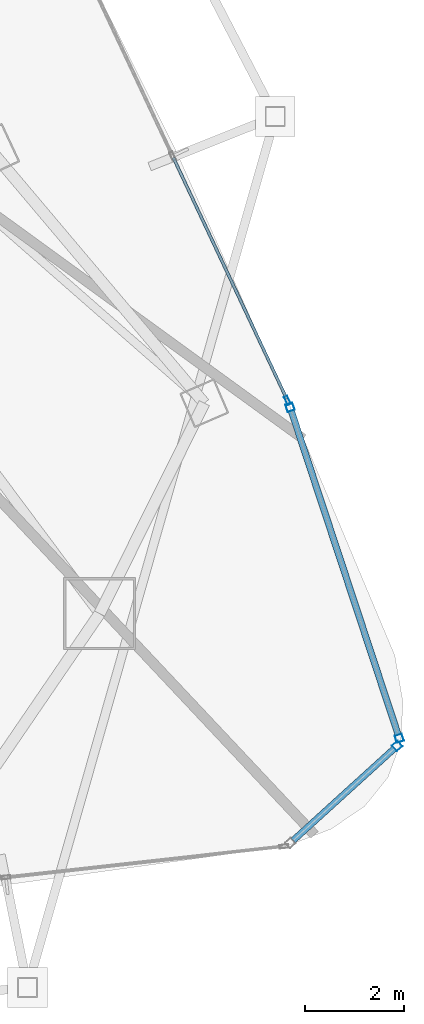
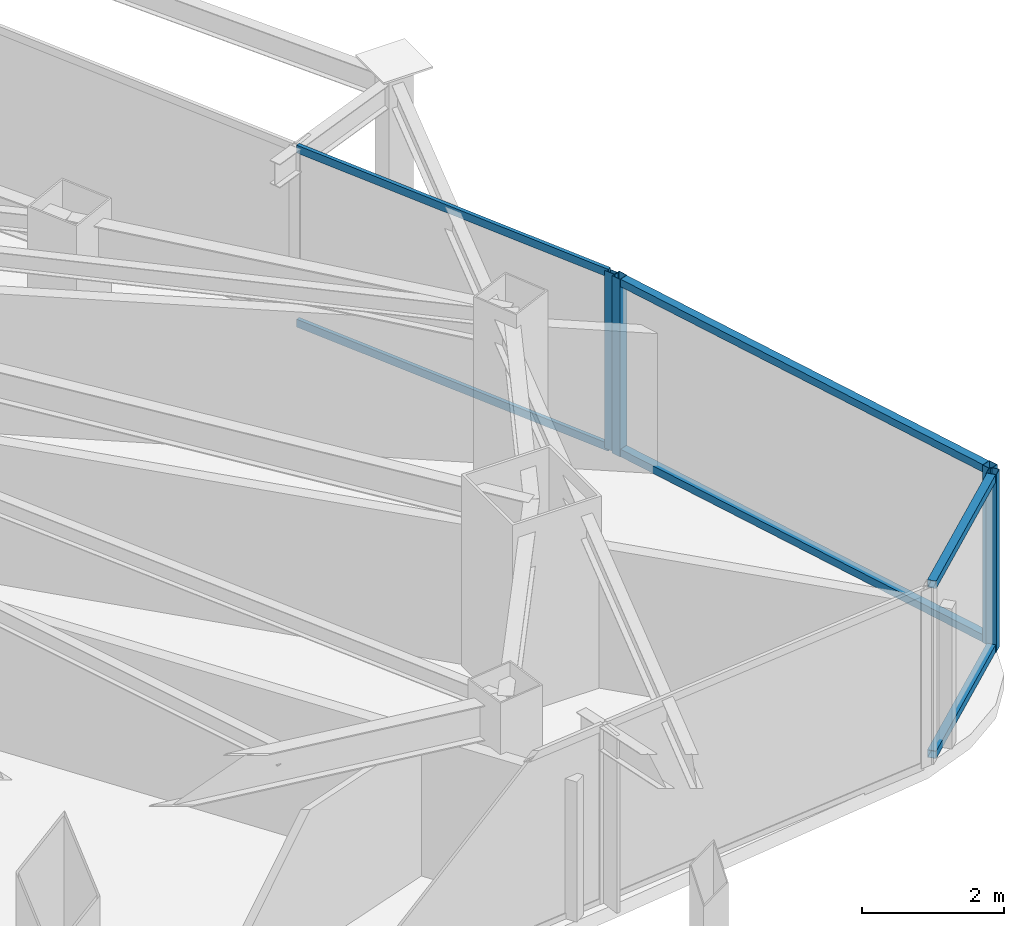
# One storey, part 14 of 29: 10 members, 3 elements without a shape of their own.
"""IFC4 building model written with IfcOpenShell, lengths in metres."""

from ifc_helpers import new_model, si_unit, direction, frame, origin, origin_2d, place, context, subcontext, project, spatial, hollow_rectangle, extrude, material, layer, layer_set, material_profile, profile_set, type_object, element, aggregate, save


model = new_model("IFC4")

# Units and contexts
model_context = context("Model", 3, precision=1e-05, world=origin(), true_north=direction((0.0, 1.0)))
body_context = subcontext(model_context, "Body", "Model", "MODEL_VIEW")
ifc_project = project(units=[si_unit("LENGTHUNIT", "METRE"), si_unit("AREAUNIT", "SQUARE_METRE"), si_unit("VOLUMEUNIT", "CUBIC_METRE"), si_unit("PLANEANGLEUNIT", "RADIAN"), si_unit("MASSUNIT", "GRAM", prefix="KILO")], contexts=[model_context])

# Site, building, storey
site_placement = place(None, origin())
site = spatial("IfcSite", under=ifc_project, at=site_placement, CompositionType="ELEMENT")
building_placement = place(site_placement, origin())
building = spatial("IfcBuilding", under=site, at=building_placement, Name="Orvanel Arch Residences", CompositionType="ELEMENT")
storey_placement = place(building_placement, frame((0.0, 0.0, 167.14990234375)))
storey = spatial("IfcBuildingStorey", under=building, at=storey_placement, Name="L47", CompositionType="ELEMENT", Elevation=167.14990234375)

# Curtain wall, member
ifc_material = material(Name="Bronze-anodised aluminium AA6063-T6", Category="aluminium")
ifc_layer_1 = layer(ifc_material, 0.18994140625)
ifc_layer_set_1 = layer_set([ifc_layer_1], Name="Bronze-anodised aluminium AA6063-T6")
curtain_wall_type_1 = type_object("IfcCurtainWallType", Name="CW5-CRN-SYS", PredefinedType="NOTDEFINED", material=ifc_layer_set_1)
curtain_wall_1_placement = place(storey_placement, origin())
curtain_wall_1 = element("IfcCurtainWall", 1, at=curtain_wall_1_placement, inside=storey, type_object=curtain_wall_type_1, Name="L47 CW5-CRN-SYS Unitised Curtain Wall", PredefinedType="NOTDEFINED")
ifc_material_profile_1 = material_profile(ifc_material, hollow_rectangle(XDim=0.14990234375, YDim=0.14990234375, WallThickness=0.0048828125, at=origin_2d()), Name="ALU150x150x5")
ifc_profile_set_1 = profile_set([ifc_material_profile_1], Name="Bronze-anodised aluminium AA6063-T6")
member_type_1 = type_object("IfcMemberType", Name="MUL-150x150", PredefinedType="MULLION", material=ifc_profile_set_1)
member_1_placement = place(storey_placement, frame((57.784423828125, 7.691650390625, 0.0), z_axis=(0.0, 0.0, 1.0), x_axis=(-0.672395615727, 0.740191958853, 0.0)))
member_1 = element("IfcMember", 2, at=member_1_placement, type_object=member_type_1, Name="CW-S5 mullion 2", PredefinedType="MULLION", context=body_context, shape_type="SweptSolid", body=[
    extrude(hollow_rectangle(XDim=0.14990234375, YDim=0.14990234375, WallThickness=0.0048828125, at=origin_2d()), origin(), (0.0, 0.0, 1.0), 3.06005859375),
])

# Curtain wall, members
curtain_wall_2_placement = place(storey_placement, origin())
curtain_wall_2 = element("IfcCurtainWall", 3, at=curtain_wall_2_placement, inside=storey, type_object=curtain_wall_type_1, Name="L47 CW5-CRN-SYS Unitised Curtain Wall", PredefinedType="NOTDEFINED")
member_2_placement = place(storey_placement, frame((57.825439453125, 7.84521484375, 0.0), z_axis=(0.0, 0.0, 1.0), x_axis=(-0.949629481018, -0.313374933239, 0.0)))
member_2 = element("IfcMember", 4, at=member_2_placement, type_object=member_type_1, Name="CW-S5 mullion 1", PredefinedType="MULLION", context=body_context, shape_type="SweptSolid", body=[
    extrude(hollow_rectangle(XDim=0.14990234375, YDim=0.14990234375, WallThickness=0.0048828125, at=origin_2d()), origin(), (0.0, 0.0, 1.0), 3.06005859375),
])
member_3_placement = place(storey_placement, frame((55.630615234375, 14.496826171875, 0.0), z_axis=(0.0, 0.0, 1.0), x_axis=(-0.949629481018, -0.313374933239, 0.0)))
member_3 = element("IfcMember", 5, at=member_3_placement, type_object=member_type_1, Name="CW-S5 mullion 2", PredefinedType="MULLION", context=body_context, shape_type="SweptSolid", body=[
    extrude(hollow_rectangle(XDim=0.14990234375, YDim=0.14990234375, WallThickness=0.0048828125, at=origin_2d()), origin(), (0.0, 0.0, 1.0), 3.06005859375),
])

# Curtain wall, member
ifc_layer_2 = layer(ifc_material, 0.179931640625)
ifc_layer_set_2 = layer_set([ifc_layer_2], Name="Bronze-anodised aluminium AA6063-T6")
curtain_wall_type_2 = type_object("IfcCurtainWallType", Name="CW3-MID-SYS", PredefinedType="NOTDEFINED", material=ifc_layer_set_2)
curtain_wall_3_placement = place(storey_placement, origin())
curtain_wall_3 = element("IfcCurtainWall", 6, at=curtain_wall_3_placement, inside=storey, type_object=curtain_wall_type_2, Name="L47 CW3-MID-SYS Unitised Curtain Wall", PredefinedType="NOTDEFINED")
ifc_material_profile_2 = material_profile(ifc_material, hollow_rectangle(XDim=0.070068359375, YDim=0.179931640625, WallThickness=0.00439453125, at=origin_2d()), Name="ALU180x70x4.5")
ifc_profile_set_2 = profile_set([ifc_material_profile_2], Name="Bronze-anodised aluminium AA6063-T6")
member_type_2 = type_object("IfcMemberType", Name="MUL-180x70", PredefinedType="MULLION", material=ifc_profile_set_2)
member_4_placement = place(storey_placement, frame((55.5771484375, 14.63671875, 0.0), z_axis=(0.0, 0.0, 1.0), x_axis=(-0.904972224309, -0.42547064908, 0.0)))
member_4 = element("IfcMember", 7, at=member_4_placement, type_object=member_type_2, Name="CW-S3 mullion 1", PredefinedType="MULLION", context=body_context, shape_type="SweptSolid", body=[
    extrude(hollow_rectangle(XDim=0.070068359375, YDim=0.179931640625, WallThickness=0.00439453125, at=origin_2d()), origin(), (0.0, 0.0, 1.0), 3.06005859375),
])

# Member
ifc_material_profile_3 = material_profile(ifc_material, hollow_rectangle(XDim=0.1298828125, YDim=0.1298828125, WallThickness=0.00439453125, at=origin_2d()), Name="ALU130x130x4.5")
ifc_profile_set_3 = profile_set([ifc_material_profile_3], Name="Bronze-anodised aluminium AA6063-T6")
member_type_3 = type_object("IfcMemberType", Name="TRN-130x130", PredefinedType="USERDEFINED", material=ifc_profile_set_3)
member_5_placement = place(storey_placement, frame((55.69091796875, 5.789794921875, 0.065185546875), z_axis=(0.740208829839, 0.672377043204, 0.0), x_axis=(-0.672377043204, 0.740208829839, 0.0)))
member_5 = element("IfcMember", 8, at=member_5_placement, type_object=member_type_3, Name="CW-S5 transom 1.1", ObjectType="TRANSOM", PredefinedType="USERDEFINED", context=body_context, shape_type="SweptSolid", body=[
    extrude(hollow_rectangle(XDim=0.1298828125, YDim=0.1298828125, WallThickness=0.00439453125, at=origin_2d()), origin(), (0.0, 0.0, 1.0), 2.75341796875),
])

member_6_placement = place(storey_placement, frame((55.69091796875, 5.789794921875, 2.9951171875), z_axis=(0.740208829839, 0.672377043204, 0.0), x_axis=(-0.672377043204, 0.740208829839, 0.0)))
member_6 = element("IfcMember", 9, at=member_6_placement, type_object=member_type_3, Name="CW-S5 transom 1.2", ObjectType="TRANSOM", PredefinedType="USERDEFINED", context=body_context, shape_type="SweptSolid", body=[
    extrude(hollow_rectangle(XDim=0.1298828125, YDim=0.1298828125, WallThickness=0.00439453125, at=origin_2d()), origin(), (0.0, 0.0, 1.0), 2.75341796875),
])

aggregate(curtain_wall_1, [member_1, member_5, member_6])

member_7_placement = place(storey_placement, frame((57.802001953125, 7.91650390625, 0.065185546875), z_axis=(-0.313373278504, 0.949630027074, 0.0), x_axis=(-0.949630027074, -0.313373278504, 0.0)))
member_7 = element("IfcMember", 10, at=member_7_placement, type_object=member_type_3, Name="CW-S5 transom 1.1", ObjectType="TRANSOM", PredefinedType="USERDEFINED", context=body_context, shape_type="SweptSolid", body=[
    extrude(hollow_rectangle(XDim=0.1298828125, YDim=0.1298828125, WallThickness=0.00439453125, at=origin_2d()), origin(), (0.0, 0.0, 1.0), 6.854248046875),
])

member_8_placement = place(storey_placement, frame((57.802001953125, 7.91650390625, 2.9951171875), z_axis=(-0.313373278504, 0.949630027074, 0.0), x_axis=(-0.949630027074, -0.313373278504, 0.0)))
member_8 = element("IfcMember", 11, at=member_8_placement, type_object=member_type_3, Name="CW-S5 transom 1.2", ObjectType="TRANSOM", PredefinedType="USERDEFINED", context=body_context, shape_type="SweptSolid", body=[
    extrude(hollow_rectangle(XDim=0.1298828125, YDim=0.1298828125, WallThickness=0.00439453125, at=origin_2d()), origin(), (0.0, 0.0, 1.0), 6.854248046875),
])

aggregate(curtain_wall_2, [member_2, member_3, member_7, member_8])

ifc_material_profile_4 = material_profile(ifc_material, hollow_rectangle(XDim=0.06005859375, YDim=0.135009765625, WallThickness=0.00390625, at=origin_2d()), Name="ALU135x60x4")
ifc_profile_set_4 = profile_set([ifc_material_profile_4], Name="Bronze-anodised aluminium AA6063-T6")
member_type_4 = type_object("IfcMemberType", Name="TRN-135x60", PredefinedType="USERDEFINED", material=ifc_profile_set_4)
member_9_placement = place(storey_placement, frame((55.562255859375, 14.66845703125, 0.030029296875), z_axis=(-0.425472047127, 0.904971567019, 0.0), x_axis=(-0.904971567019, -0.425472047127, 0.0)))
member_9 = element("IfcMember", 12, at=member_9_placement, type_object=member_type_4, Name="CW-S3 transom 1.1", ObjectType="TRANSOM", PredefinedType="USERDEFINED", context=body_context, shape_type="SweptSolid", body=[
    extrude(hollow_rectangle(XDim=0.06005859375, YDim=0.135009765625, WallThickness=0.00390625, at=origin_2d()), origin(), (0.0, 0.0, 1.0), 5.354736328125),
])

member_10_placement = place(storey_placement, frame((55.562255859375, 14.66845703125, 3.030029296875), z_axis=(-0.425472047127, 0.904971567019, 0.0), x_axis=(-0.904971567019, -0.425472047127, 0.0)))
member_10 = element("IfcMember", 13, at=member_10_placement, type_object=member_type_4, Name="CW-S3 transom 1.2", ObjectType="TRANSOM", PredefinedType="USERDEFINED", context=body_context, shape_type="SweptSolid", body=[
    extrude(hollow_rectangle(XDim=0.06005859375, YDim=0.135009765625, WallThickness=0.00390625, at=origin_2d()), origin(), (0.0, 0.0, 1.0), 5.354736328125),
])

aggregate(curtain_wall_3, [member_4, member_9, member_10])

save(model, "model.ifc")
